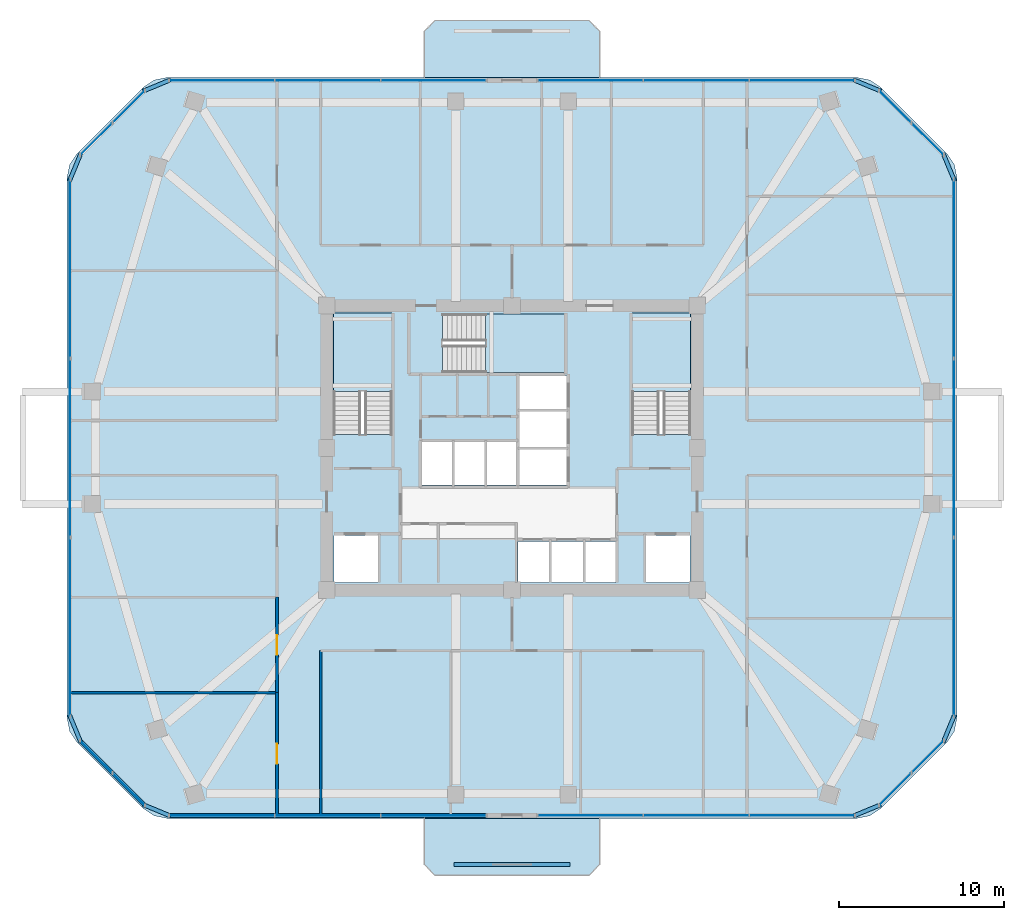
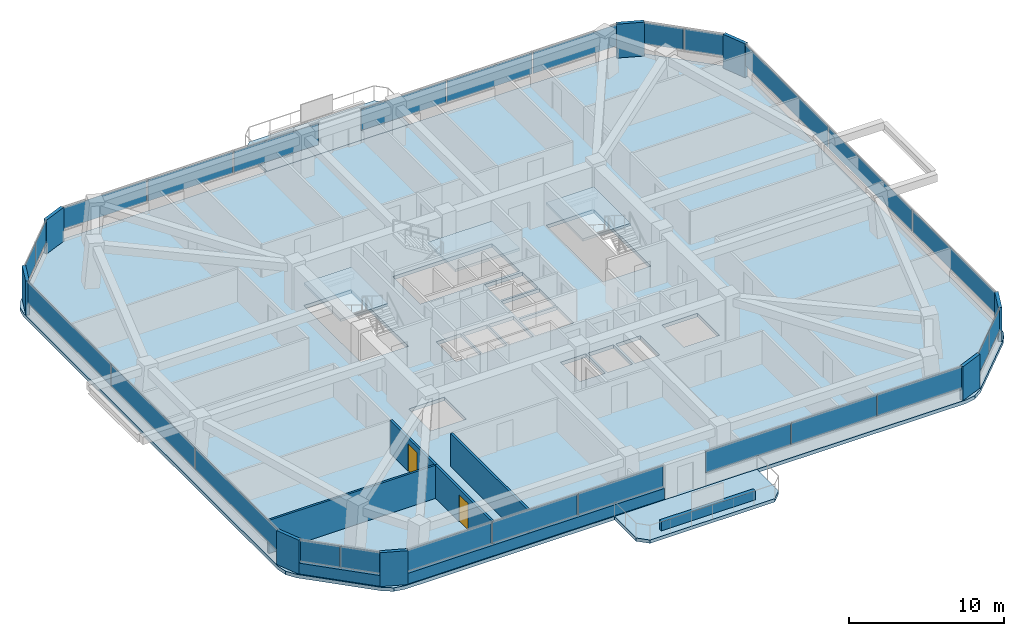
# One storey, part 7 of 13: 34 plates, 7 walls, 6 slabs, 2 doors, 2 openings, 13 elements without a shape of their own.
"""IFC4 building model written with IfcOpenShell, lengths in metres."""

from ifc_helpers import new_model, si_unit, derived_unit, direction, frame, frame_2d, origin, origin_2d, place, context, subcontext, project, spatial, polyline, rectangle, outline, extrude, material, layer, layer_set, type_object, element, fill, aggregate, save


model = new_model("IFC4")

# Units and contexts
model_context = context("Model", 3, precision=1e-05, world=origin(), true_north=direction((0.0, 1.0)))
body_context = subcontext(model_context, "Body", "Model", "MODEL_VIEW")
ifc_project = project(units=[si_unit("LENGTHUNIT", "METRE"), si_unit("AREAUNIT", "SQUARE_METRE"), si_unit("VOLUMEUNIT", "CUBIC_METRE"), si_unit("PLANEANGLEUNIT", "RADIAN"), si_unit("MASSUNIT", "GRAM", prefix="KILO"), derived_unit("THERMALTRANSMITTANCEUNIT", [(si_unit("POWERUNIT", "WATT"), 1), (si_unit("LENGTHUNIT", "METRE"), -2), (si_unit("THERMODYNAMICTEMPERATUREUNIT", "KELVIN"), -1)])], contexts=[model_context])

# Site, building, storey
site_placement = place(None, origin())
site = spatial("IfcSite", under=ifc_project, at=site_placement, CompositionType="ELEMENT")
building_placement = place(site_placement, origin())
building = spatial("IfcBuilding", under=site, at=building_placement, Name="Koralith Skygarden Medical Center", CompositionType="ELEMENT")
storey_placement = place(building_placement, frame((0.0, 0.0, 88.3798828125)))
storey = spatial("IfcBuildingStorey", under=building, at=storey_placement, Name="L22", CompositionType="ELEMENT", Elevation=88.3798828125)

# Curtain wall, plates
ifc_material_1 = material(Name="Clear Laminated Glass", Category="glass")
curtain_wall_type = type_object("IfcCurtainWallType", Name="CW-3 Zone 2 Faceted Solar Curtain Wall", PredefinedType="NOTDEFINED", material=ifc_material_1)
curtain_wall_1_placement = place(storey_placement, origin())
curtain_wall_1 = element("IfcCurtainWall", 1, at=curtain_wall_1_placement, inside=storey, type_object=curtain_wall_type, Name="Curtain Wall CW-L22-S-L", PredefinedType="NOTDEFINED")
ifc_layer_1 = layer(ifc_material_1, 0.033935546875)
ifc_layer_set_1 = layer_set([ifc_layer_1], Name="Clear Laminated Glass")
plate_type_1 = type_object("IfcPlateType", Name="CW-3 Hurricane Laminated IGU Panel 34", PredefinedType="CURTAIN_PANEL", material=ifc_layer_set_1)
plate_1_placement = place(storey_placement, frame((19.4560546875, 3.679931640625, 0.919921875), z_axis=(0.0, 0.0, 1.0), x_axis=(1.0, 0.0, 0.0)))
plate_1 = element("IfcPlate", 2, at=plate_1_placement, type_object=plate_type_1, Name="CW-L22-S-L Glazed Panel 1", PredefinedType="CURTAIN_PANEL", context=body_context, shape_type="SweptSolid", body=[
    extrude(rectangle(XDim=6.31103515625, YDim=0.033935546875, at=origin_2d()), origin(), (0.0, 0.0, 1.0), 1.679931640625),
])
plate_2_placement = place(storey_placement, frame((25.85693359375, 3.679931640625, 0.919921875), z_axis=(0.0, 0.0, 1.0), x_axis=(1.0, 0.0, 0.0)))
plate_2 = element("IfcPlate", 3, at=plate_2_placement, type_object=plate_type_1, Name="CW-L22-S-L Glazed Panel 2", PredefinedType="CURTAIN_PANEL", context=body_context, shape_type="SweptSolid", body=[
    extrude(rectangle(XDim=6.31103515625, YDim=0.033935546875, at=origin_2d()), origin(), (0.0, 0.0, 1.0), 1.679931640625),
])
plate_3_placement = place(storey_placement, frame((32.258056640625, 3.679931640625, 0.919921875), z_axis=(0.0, 0.0, 1.0), x_axis=(1.0, 0.0, 0.0)))
plate_3 = element("IfcPlate", 4, at=plate_3_placement, type_object=plate_type_1, Name="CW-L22-S-L Glazed Panel 3", PredefinedType="CURTAIN_PANEL", context=body_context, shape_type="SweptSolid", body=[
    extrude(rectangle(XDim=6.31103515625, YDim=0.033935546875, at=origin_2d()), origin(), (0.0, 0.0, 1.0), 1.679931640625),
])
aggregate(curtain_wall_1, [plate_1, plate_2, plate_3])

curtain_wall_2_placement = place(storey_placement, origin())
curtain_wall_2 = element("IfcCurtainWall", 5, at=curtain_wall_2_placement, inside=storey, type_object=curtain_wall_type, Name="Curtain Wall CW-L22-S-R", PredefinedType="NOTDEFINED")
plate_4_placement = place(storey_placement, frame((41.739990234375, 3.679931640625, 0.919921875), z_axis=(0.0, 0.0, 1.0), x_axis=(1.0, 0.0, 0.0)))
plate_4 = element("IfcPlate", 6, at=plate_4_placement, type_object=plate_type_1, Name="CW-L22-S-R Glazed Panel 1", PredefinedType="CURTAIN_PANEL", context=body_context, shape_type="SweptSolid", body=[
    extrude(rectangle(XDim=6.31201171875, YDim=0.033935546875, at=origin_2d()), origin(), (0.0, 0.0, 1.0), 1.679931640625),
])
plate_5_placement = place(storey_placement, frame((48.14208984375, 3.679931640625, 0.919921875), z_axis=(0.0, 0.0, 1.0), x_axis=(1.0, 0.0, 0.0)))
plate_5 = element("IfcPlate", 7, at=plate_5_placement, type_object=plate_type_1, Name="CW-L22-S-R Glazed Panel 2", PredefinedType="CURTAIN_PANEL", context=body_context, shape_type="SweptSolid", body=[
    extrude(rectangle(XDim=6.31201171875, YDim=0.033935546875, at=origin_2d()), origin(), (0.0, 0.0, 1.0), 1.679931640625),
])
plate_6_placement = place(storey_placement, frame((54.5439453125, 3.679931640625, 0.919921875), z_axis=(0.0, 0.0, 1.0), x_axis=(1.0, 0.0, 0.0)))
plate_6 = element("IfcPlate", 8, at=plate_6_placement, type_object=plate_type_1, Name="CW-L22-S-R Glazed Panel 3", PredefinedType="CURTAIN_PANEL", context=body_context, shape_type="SweptSolid", body=[
    extrude(rectangle(XDim=6.31201171875, YDim=0.033935546875, at=origin_2d()), origin(), (0.0, 0.0, 1.0), 1.679931640625),
])
aggregate(curtain_wall_2, [plate_4, plate_5, plate_6])

curtain_wall_3_placement = place(storey_placement, origin())
curtain_wall_3 = element("IfcCurtainWall", 9, at=curtain_wall_3_placement, inside=storey, type_object=curtain_wall_type, Name="Curtain Wall CW-L22-SE", PredefinedType="NOTDEFINED")
plate_7_placement = place(storey_placement, frame((60.177001953125, 5.261962890625, 0.919921875), z_axis=(0.0, 0.0, 1.0), x_axis=(0.707106781187, 0.707106781187, 0.0)))
plate_7 = element("IfcPlate", 10, at=plate_7_placement, type_object=plate_type_1, Name="CW-L22-SE Glazed Panel 1", PredefinedType="CURTAIN_PANEL", context=body_context, shape_type="SweptSolid", body=[
    extrude(rectangle(XDim=2.68408203125, YDim=0.033935546875, at=origin_2d()), origin(), (0.0, 0.0, 1.0), 1.679931640625),
])
plate_8_placement = place(storey_placement, frame((62.137939453125, 7.222900390625, 0.919921875), z_axis=(0.0, 0.0, 1.0), x_axis=(0.707106781187, 0.707106781187, 0.0)))
plate_8 = element("IfcPlate", 11, at=plate_8_placement, type_object=plate_type_1, Name="CW-L22-SE Glazed Panel 2", PredefinedType="CURTAIN_PANEL", context=body_context, shape_type="SweptSolid", body=[
    extrude(rectangle(XDim=2.68408203125, YDim=0.033935546875, at=origin_2d()), origin(), (0.0, 0.0, 1.0), 1.679931640625),
])
aggregate(curtain_wall_3, [plate_7, plate_8])

curtain_wall_4_placement = place(storey_placement, origin())
curtain_wall_4 = element("IfcCurtainWall", 12, at=curtain_wall_4_placement, inside=storey, type_object=curtain_wall_type, Name="Curtain Wall CW-L22-E", PredefinedType="NOTDEFINED")
plate_9_placement = place(storey_placement, frame((63.719970703125, 15.070068359375, 0.919921875), z_axis=(0.0, 0.0, 1.0), x_axis=(0.0, 1.0, 0.0)))
plate_9 = element("IfcPlate", 13, at=plate_9_placement, type_object=plate_type_1, Name="CW-L22-E Glazed Panel 1", PredefinedType="CURTAIN_PANEL", context=body_context, shape_type="SweptSolid", body=[
    extrude(rectangle(XDim=10.739990234375, YDim=0.033935546875, at=origin_2d()), origin(), (0.0, 0.0, 1.0), 1.679931640625),
])
plate_10_placement = place(storey_placement, frame((63.719970703125, 25.89990234375, 0.919921875), z_axis=(0.0, 0.0, 1.0), x_axis=(0.0, 1.0, 0.0)))
plate_10 = element("IfcPlate", 14, at=plate_10_placement, type_object=plate_type_1, Name="CW-L22-E Glazed Panel 2", PredefinedType="CURTAIN_PANEL", context=body_context, shape_type="SweptSolid", body=[
    extrude(rectangle(XDim=10.739990234375, YDim=0.033935546875, at=origin_2d()), origin(), (0.0, 0.0, 1.0), 1.679931640625),
])
plate_11_placement = place(storey_placement, frame((63.719970703125, 36.72998046875, 0.919921875), z_axis=(0.0, 0.0, 1.0), x_axis=(0.0, 1.0, 0.0)))
plate_11 = element("IfcPlate", 15, at=plate_11_placement, type_object=plate_type_1, Name="CW-L22-E Glazed Panel 3", PredefinedType="CURTAIN_PANEL", context=body_context, shape_type="SweptSolid", body=[
    extrude(rectangle(XDim=10.739990234375, YDim=0.033935546875, at=origin_2d()), origin(), (0.0, 0.0, 1.0), 1.679931640625),
])
aggregate(curtain_wall_4, [plate_9, plate_10, plate_11])

curtain_wall_5_placement = place(storey_placement, origin())
curtain_wall_5 = element("IfcCurtainWall", 16, at=curtain_wall_5_placement, inside=storey, type_object=curtain_wall_type, Name="Curtain Wall CW-L22-NE", PredefinedType="NOTDEFINED")
plate_12_placement = place(storey_placement, frame((62.137939453125, 44.576904296875, 0.919921875), z_axis=(0.0, 0.0, 1.0), x_axis=(-0.707106781187, 0.707106781187, 0.0)))
plate_12 = element("IfcPlate", 17, at=plate_12_placement, type_object=plate_type_1, Name="CW-L22-NE Glazed Panel 1", PredefinedType="CURTAIN_PANEL", context=body_context, shape_type="SweptSolid", body=[
    extrude(rectangle(XDim=2.68408203125, YDim=0.033935546875, at=origin_2d()), origin(), (0.0, 0.0, 1.0), 1.679931640625),
])
plate_13_placement = place(storey_placement, frame((60.177001953125, 46.5380859375, 0.919921875), z_axis=(0.0, 0.0, 1.0), x_axis=(-0.707106781187, 0.707106781187, 0.0)))
plate_13 = element("IfcPlate", 18, at=plate_13_placement, type_object=plate_type_1, Name="CW-L22-NE Glazed Panel 2", PredefinedType="CURTAIN_PANEL", context=body_context, shape_type="SweptSolid", body=[
    extrude(rectangle(XDim=2.68408203125, YDim=0.033935546875, at=origin_2d()), origin(), (0.0, 0.0, 1.0), 1.679931640625),
])
aggregate(curtain_wall_5, [plate_12, plate_13])

curtain_wall_6_placement = place(storey_placement, origin())
curtain_wall_6 = element("IfcCurtainWall", 19, at=curtain_wall_6_placement, inside=storey, type_object=curtain_wall_type, Name="Curtain Wall CW-L22-N-L", PredefinedType="NOTDEFINED")
plate_14_placement = place(storey_placement, frame((54.5439453125, 48.1201171875, 0.919921875), z_axis=(0.0, 0.0, 1.0), x_axis=(-1.0, 0.0, 0.0)))
plate_14 = element("IfcPlate", 20, at=plate_14_placement, type_object=plate_type_1, Name="CW-L22-N-L Glazed Panel 1", PredefinedType="CURTAIN_PANEL", context=body_context, shape_type="SweptSolid", body=[
    extrude(rectangle(XDim=6.31103515625, YDim=0.033935546875, at=origin_2d()), origin(), (0.0, 0.0, 1.0), 1.679931640625),
])
plate_15_placement = place(storey_placement, frame((48.14306640625, 48.1201171875, 0.919921875), z_axis=(0.0, 0.0, 1.0), x_axis=(-1.0, 0.0, 0.0)))
plate_15 = element("IfcPlate", 21, at=plate_15_placement, type_object=plate_type_1, Name="CW-L22-N-L Glazed Panel 2", PredefinedType="CURTAIN_PANEL", context=body_context, shape_type="SweptSolid", body=[
    extrude(rectangle(XDim=6.31103515625, YDim=0.033935546875, at=origin_2d()), origin(), (0.0, 0.0, 1.0), 1.679931640625),
])
plate_16_placement = place(storey_placement, frame((41.741943359375, 48.1201171875, 0.919921875), z_axis=(0.0, 0.0, 1.0), x_axis=(-1.0, 0.0, 0.0)))
plate_16 = element("IfcPlate", 22, at=plate_16_placement, type_object=plate_type_1, Name="CW-L22-N-L Glazed Panel 3", PredefinedType="CURTAIN_PANEL", context=body_context, shape_type="SweptSolid", body=[
    extrude(rectangle(XDim=6.31103515625, YDim=0.033935546875, at=origin_2d()), origin(), (0.0, 0.0, 1.0), 1.679931640625),
])
aggregate(curtain_wall_6, [plate_14, plate_15, plate_16])

curtain_wall_7_placement = place(storey_placement, origin())
curtain_wall_7 = element("IfcCurtainWall", 23, at=curtain_wall_7_placement, inside=storey, type_object=curtain_wall_type, Name="Curtain Wall CW-L22-N-R", PredefinedType="NOTDEFINED")
plate_17_placement = place(storey_placement, frame((32.260009765625, 48.1201171875, 0.919921875), z_axis=(0.0, 0.0, 1.0), x_axis=(-1.0, 0.0, 0.0)))
plate_17 = element("IfcPlate", 24, at=plate_17_placement, type_object=plate_type_1, Name="CW-L22-N-R Glazed Panel 1", PredefinedType="CURTAIN_PANEL", context=body_context, shape_type="SweptSolid", body=[
    extrude(rectangle(XDim=6.31201171875, YDim=0.033935546875, at=origin_2d()), origin(), (0.0, 0.0, 1.0), 1.679931640625),
])
plate_18_placement = place(storey_placement, frame((25.85791015625, 48.1201171875, 0.919921875), z_axis=(0.0, 0.0, 1.0), x_axis=(-1.0, 0.0, 0.0)))
plate_18 = element("IfcPlate", 25, at=plate_18_placement, type_object=plate_type_1, Name="CW-L22-N-R Glazed Panel 2", PredefinedType="CURTAIN_PANEL", context=body_context, shape_type="SweptSolid", body=[
    extrude(rectangle(XDim=6.31201171875, YDim=0.033935546875, at=origin_2d()), origin(), (0.0, 0.0, 1.0), 1.679931640625),
])
plate_19_placement = place(storey_placement, frame((19.4560546875, 48.1201171875, 0.919921875), z_axis=(0.0, 0.0, 1.0), x_axis=(-1.0, 0.0, 0.0)))
plate_19 = element("IfcPlate", 26, at=plate_19_placement, type_object=plate_type_1, Name="CW-L22-N-R Glazed Panel 3", PredefinedType="CURTAIN_PANEL", context=body_context, shape_type="SweptSolid", body=[
    extrude(rectangle(XDim=6.31201171875, YDim=0.033935546875, at=origin_2d()), origin(), (0.0, 0.0, 1.0), 1.679931640625),
])
aggregate(curtain_wall_7, [plate_17, plate_18, plate_19])

curtain_wall_8_placement = place(storey_placement, origin())
curtain_wall_8 = element("IfcCurtainWall", 27, at=curtain_wall_8_placement, inside=storey, type_object=curtain_wall_type, Name="Curtain Wall CW-L22-NW", PredefinedType="NOTDEFINED")
plate_20_placement = place(storey_placement, frame((13.822998046875, 46.5380859375, 0.919921875), z_axis=(0.0, 0.0, 1.0), x_axis=(-0.707106781187, -0.707106781187, 0.0)))
plate_20 = element("IfcPlate", 28, at=plate_20_placement, type_object=plate_type_1, Name="CW-L22-NW Glazed Panel 1", PredefinedType="CURTAIN_PANEL", context=body_context, shape_type="SweptSolid", body=[
    extrude(rectangle(XDim=2.68408203125, YDim=0.033935546875, at=origin_2d()), origin(), (0.0, 0.0, 1.0), 1.679931640625),
])
plate_21_placement = place(storey_placement, frame((11.862060546875, 44.576904296875, 0.919921875), z_axis=(0.0, 0.0, 1.0), x_axis=(-0.707106781187, -0.707106781187, 0.0)))
plate_21 = element("IfcPlate", 29, at=plate_21_placement, type_object=plate_type_1, Name="CW-L22-NW Glazed Panel 2", PredefinedType="CURTAIN_PANEL", context=body_context, shape_type="SweptSolid", body=[
    extrude(rectangle(XDim=2.68408203125, YDim=0.033935546875, at=origin_2d()), origin(), (0.0, 0.0, 1.0), 1.679931640625),
])
aggregate(curtain_wall_8, [plate_20, plate_21])

curtain_wall_9_placement = place(storey_placement, origin())
curtain_wall_9 = element("IfcCurtainWall", 30, at=curtain_wall_9_placement, inside=storey, type_object=curtain_wall_type, Name="Curtain Wall CW-L22-W", PredefinedType="NOTDEFINED")
plate_22_placement = place(storey_placement, frame((10.280029296875, 36.72998046875, 0.919921875), z_axis=(0.0, 0.0, 1.0), x_axis=(0.0, -1.0, 0.0)))
plate_22 = element("IfcPlate", 31, at=plate_22_placement, type_object=plate_type_1, Name="CW-L22-W Glazed Panel 1", PredefinedType="CURTAIN_PANEL", context=body_context, shape_type="SweptSolid", body=[
    extrude(rectangle(XDim=10.739990234375, YDim=0.033935546875, at=origin_2d()), origin(), (0.0, 0.0, 1.0), 1.679931640625),
])
plate_23_placement = place(storey_placement, frame((10.280029296875, 25.89990234375, 0.919921875), z_axis=(0.0, 0.0, 1.0), x_axis=(0.0, -1.0, 0.0)))
plate_23 = element("IfcPlate", 32, at=plate_23_placement, type_object=plate_type_1, Name="CW-L22-W Glazed Panel 2", PredefinedType="CURTAIN_PANEL", context=body_context, shape_type="SweptSolid", body=[
    extrude(rectangle(XDim=10.739990234375, YDim=0.033935546875, at=origin_2d()), origin(), (0.0, 0.0, 1.0), 1.679931640625),
])
plate_24_placement = place(storey_placement, frame((10.280029296875, 15.070068359375, 0.919921875), z_axis=(0.0, 0.0, 1.0), x_axis=(0.0, -1.0, 0.0)))
plate_24 = element("IfcPlate", 33, at=plate_24_placement, type_object=plate_type_1, Name="CW-L22-W Glazed Panel 3", PredefinedType="CURTAIN_PANEL", context=body_context, shape_type="SweptSolid", body=[
    extrude(rectangle(XDim=10.739990234375, YDim=0.033935546875, at=origin_2d()), origin(), (0.0, 0.0, 1.0), 1.679931640625),
])
aggregate(curtain_wall_9, [plate_22, plate_23, plate_24])

curtain_wall_10_placement = place(storey_placement, origin())
curtain_wall_10 = element("IfcCurtainWall", 34, at=curtain_wall_10_placement, inside=storey, type_object=curtain_wall_type, Name="Curtain Wall CW-L22-SW", PredefinedType="NOTDEFINED")
plate_25_placement = place(storey_placement, frame((11.862060546875, 7.222900390625, 0.919921875), z_axis=(0.0, 0.0, 1.0), x_axis=(0.707106781187, -0.707106781187, 0.0)))
plate_25 = element("IfcPlate", 35, at=plate_25_placement, type_object=plate_type_1, Name="CW-L22-SW Glazed Panel 1", PredefinedType="CURTAIN_PANEL", context=body_context, shape_type="SweptSolid", body=[
    extrude(rectangle(XDim=2.68408203125, YDim=0.033935546875, at=origin_2d()), origin(), (0.0, 0.0, 1.0), 1.679931640625),
])
plate_26_placement = place(storey_placement, frame((13.822998046875, 5.261962890625, 0.919921875), z_axis=(0.0, 0.0, 1.0), x_axis=(0.707106781187, -0.707106781187, 0.0)))
plate_26 = element("IfcPlate", 36, at=plate_26_placement, type_object=plate_type_1, Name="CW-L22-SW Glazed Panel 2", PredefinedType="CURTAIN_PANEL", context=body_context, shape_type="SweptSolid", body=[
    extrude(rectangle(XDim=2.68408203125, YDim=0.033935546875, at=origin_2d()), origin(), (0.0, 0.0, 1.0), 1.679931640625),
])
aggregate(curtain_wall_10, [plate_25, plate_26])

# Slabs
ifc_material_2 = material(Name="Concrete C45/55", Category="concrete")
ifc_layer_2 = layer(ifc_material_2, 0.260009765625)
ifc_layer_set_2 = layer_set([ifc_layer_2], Name="Concrete C45/55")
slab_type_1 = type_object("IfcSlabType", Name="Cantilevered Planted Balcony Slab 260", PredefinedType="FLOOR", material=ifc_layer_set_2)
slab_1_placement = place(storey_placement, frame((0.0, 0.0, -0.259765625)))
element("IfcSlab", 37, at=slab_1_placement, inside=storey, type_object=slab_type_1, Name="L22 N Planted Sky-Garden Balcony Slab", PredefinedType="FLOOR", context=body_context, shape_type="SweptSolid", body=[
    extrude(outline(polyline([(31.699951171875, 48.300048828125), (42.300048828125, 48.300048828125), (42.300048828125, 51.10009765625), (41.64990234375, 51.75), (32.35009765625, 51.75), (31.699951171875, 51.10009765625), (31.699951171875, 48.300048828125)])), origin(), (0.0, 0.0, 1.0), 0.259765625),
])
slab_2_placement = place(storey_placement, frame((0.0, 0.0, -0.259765625)))
element("IfcSlab", 38, at=slab_2_placement, inside=storey, type_object=slab_type_1, Name="L22 S Planted Sky-Garden Balcony Slab", PredefinedType="FLOOR", context=body_context, shape_type="SweptSolid", body=[
    extrude(outline(polyline([(32.35009765625, 0.050048828125), (41.64990234375, 0.050048828125), (42.300048828125, 0.699951171875), (42.300048828125, 3.5), (31.699951171875, 3.5), (31.699951171875, 0.699951171875), (32.35009765625, 0.050048828125)])), origin(), (0.0, 0.0, 1.0), 0.259765625),
])

# Stair, slab
stair_type = type_object("IfcStairType", Name="Core Exit Dogleg Concrete Stair", PredefinedType="HALF_TURN_STAIR", material=ifc_material_2)
stair_1_placement = place(storey_placement, origin())
stair_1 = element("IfcStair", 39, at=stair_1_placement, inside=storey, type_object=stair_type, Name="L22 Smokeproof Exit Stair ST1", PredefinedType="HALF_TURN_STAIR")
ifc_layer_3 = layer(ifc_material_2, 0.199951171875)
ifc_layer_set_3 = layer_set([ifc_layer_3], Name="Concrete C45/55")
slab_type_2 = type_object("IfcSlabType", Name="Core Exit Concrete Stair Landing 200", PredefinedType="LANDING", material=ifc_layer_set_3)
slab_3_placement = place(storey_placement, frame((0.0, 0.0, 1.60009765625)))
slab_3 = element("IfcSlab", 40, at=slab_3_placement, type_object=slab_type_2, Name="ST1 landing 1", PredefinedType="LANDING", context=body_context, shape_type="SweptSolid", body=[
    extrude(outline(polyline([(29.75, 29.31005859375), (29.75, 34.050048828125), (26.199951171875, 34.050048828125), (26.199951171875, 29.31005859375), (29.75, 29.31005859375)])), origin(), (0.0, 0.0, 1.0), 0.199951171875),
])
aggregate(stair_1, [slab_3])

stair_2_placement = place(storey_placement, origin())
stair_2 = element("IfcStair", 41, at=stair_2_placement, inside=storey, type_object=stair_type, Name="L22 Smokeproof Exit Stair ST2", PredefinedType="HALF_TURN_STAIR")
slab_4_placement = place(storey_placement, frame((0.0, 0.0, 1.60009765625)))
slab_4 = element("IfcSlab", 42, at=slab_4_placement, type_object=slab_type_2, Name="ST2 landing 1", PredefinedType="LANDING", context=body_context, shape_type="SweptSolid", body=[
    extrude(outline(polyline([(47.800048828125, 29.31005859375), (47.800048828125, 34.050048828125), (44.25, 34.050048828125), (44.25, 29.31005859375), (47.800048828125, 29.31005859375)])), origin(), (0.0, 0.0, 1.0), 0.199951171875),
])
aggregate(stair_2, [slab_4])

stair_3_placement = place(storey_placement, origin())
stair_3 = element("IfcStair", 43, at=stair_3_placement, inside=storey, type_object=stair_type, Name="L22 Smokeproof Exit Stair ST3", PredefinedType="HALF_TURN_STAIR")
slab_5_placement = place(storey_placement, frame((0.0, 0.0, 1.60009765625)))
slab_5 = element("IfcSlab", 44, at=slab_5_placement, type_object=slab_type_2, Name="ST3 landing 1", PredefinedType="LANDING", context=body_context, shape_type="SweptSolid", body=[
    extrude(outline(polyline([(35.409912109375, 30.449951171875), (40.199951171875, 30.449951171875), (40.199951171875, 34.0), (35.409912109375, 34.0), (35.409912109375, 30.449951171875)])), origin(), (0.0, 0.0, 1.0), 0.199951171875),
])
aggregate(stair_3, [slab_5])

# Slab
ifc_layer_4 = layer(ifc_material_2, 0.280029296875)
ifc_layer_set_4 = layer_set([ifc_layer_4], Name="Concrete C45/55")
slab_type_3 = type_object("IfcSlabType", Name="Post-Tensioned Ward Floor Plate 280", PredefinedType="FLOOR", material=ifc_layer_set_4)
slab_6_placement = place(storey_placement, frame((0.0, 0.0, -0.27978515625)))
element("IfcSlab", 45, at=slab_6_placement, inside=storey, type_object=slab_type_3, Name="Level L22 Structural Floor Slab", PredefinedType="FLOOR", context=body_context, shape_type="SweptSolid", body=[
    extrude(outline(polyline([(14.714111328125, 4.0859375), (15.363037109375, 3.652099609375), (16.1279296875, 3.5), (57.8720703125, 3.5), (58.636962890625, 3.652099609375), (59.285888671875, 4.0859375), (63.31396484375, 8.114013671875), (63.748046875, 8.762939453125), (63.89990234375, 9.528076171875), (63.89990234375, 42.27197265625), (63.748046875, 43.037109375), (63.31396484375, 43.68603515625), (59.285888671875, 47.714111328125), (58.636962890625, 48.14794921875), (57.8720703125, 48.300048828125), (16.1279296875, 48.300048828125), (15.363037109375, 48.14794921875), (14.714111328125, 47.714111328125), (10.68603515625, 43.68603515625), (10.251953125, 43.037109375), (10.10009765625, 42.27197265625), (10.10009765625, 9.528076171875), (10.251953125, 8.762939453125), (10.68603515625, 8.114013671875), (14.714111328125, 4.0859375)]), holes=[polyline([(26.199951171875, 26.705078125), (29.75, 26.705078125), (29.75, 34.050048828125), (26.199951171875, 34.050048828125), (26.199951171875, 26.705078125)]), polyline([(44.25, 26.705078125), (47.800048828125, 26.705078125), (47.800048828125, 34.050048828125), (44.25, 34.050048828125), (44.25, 26.705078125)]), polyline([(32.804931640625, 30.449951171875), (40.199951171875, 30.449951171875), (40.199951171875, 34.0), (32.804931640625, 34.0), (32.804931640625, 30.449951171875)]), polyline([(26.25, 17.75), (28.89990234375, 17.75), (28.89990234375, 20.60009765625), (26.25, 20.60009765625), (26.25, 17.75)]), polyline([(45.10009765625, 17.75), (47.75, 17.75), (47.75, 20.60009765625), (45.10009765625, 20.60009765625), (45.10009765625, 17.75)]), polyline([(37.35009765625, 17.75), (39.25, 17.75), (39.25, 20.25), (37.35009765625, 20.25), (37.35009765625, 17.75)]), polyline([(39.39990234375, 17.75), (41.300048828125, 17.75), (41.300048828125, 20.25), (39.39990234375, 20.25), (39.39990234375, 17.75)]), polyline([(41.449951171875, 17.75), (43.300048828125, 17.75), (43.300048828125, 20.25), (41.449951171875, 20.25), (41.449951171875, 17.75)]), polyline([(31.550048828125, 23.64990234375), (33.39990234375, 23.64990234375), (33.39990234375, 26.25), (31.550048828125, 26.25), (31.550048828125, 23.64990234375)]), polyline([(33.5, 23.64990234375), (35.35009765625, 23.64990234375), (35.35009765625, 26.25), (33.5, 26.25), (33.5, 23.64990234375)]), polyline([(35.449951171875, 23.64990234375), (37.300048828125, 23.64990234375), (37.300048828125, 26.25), (35.449951171875, 26.25), (35.449951171875, 23.64990234375)]), polyline([(37.449951171875, 23.64990234375), (40.300048828125, 23.64990234375), (40.300048828125, 25.800048828125), (37.449951171875, 25.800048828125), (37.449951171875, 23.64990234375)]), polyline([(37.449951171875, 25.949951171875), (40.300048828125, 25.949951171875), (40.300048828125, 28.10009765625), (37.449951171875, 28.10009765625), (37.449951171875, 25.949951171875)]), polyline([(37.449951171875, 28.25), (40.300048828125, 28.25), (40.300048828125, 30.25), (37.449951171875, 30.25), (37.449951171875, 28.25)])]), origin(), (0.0, 0.0, 1.0), 0.27978515625),
])

# Plates
ifc_material_3 = material(Name="Warm Oolitic Limestone Cladding", Category="masonry")
ifc_layer_5 = layer(ifc_material_3, 0.239990234375)
ifc_layer_set_5 = layer_set([ifc_layer_5], Name="Warm Oolitic Limestone Cladding")
plate_type_2 = type_object("IfcPlateType", Name="Rounded-Corner Oolitic Limestone Cladding Panel 240", PredefinedType="USERDEFINED", material=ifc_layer_set_5)
for number, where, z_axis, x_axis, name in (
    (46, (58.470947265625, 3.98095703125, 0.000244140625), (0.0, 0.0, 1.0), (0.92388487569, 0.382670532536, 0.0), "L22 Rounded-Corner Limestone Pier 1"),
    (47, (63.4189453125, 8.929931640625, 0.000244140625), (0.0, 0.0, 1.0), (0.382670532536, 0.92388487569, 0.0), "L22 Rounded-Corner Limestone Pier 2"),
    (48, (63.4189453125, 42.8701171875, 0.000244140625), (0.0, 0.0, 1.0), (-0.382670532536, 0.92388487569, 0.0), "L22 Rounded-Corner Limestone Pier 3"),
    (49, (58.470947265625, 47.819091796875, 0.000244140625), (0.0, 0.0, 1.0), (-0.92388487569, 0.382670532536, 0.0), "L22 Rounded-Corner Limestone Pier 4"),
    (50, (15.529052734375, 47.819091796875, 0.000244140625), (0.0, 0.0, 1.0), (-0.92388487569, -0.382670532536, 0.0), "L22 Rounded-Corner Limestone Pier 5"),
    (51, (10.5810546875, 42.8701171875, 0.000244140625), (0.0, 0.0, 1.0), (-0.382670532536, -0.92388487569, 0.0), "L22 Rounded-Corner Limestone Pier 6"),
    (52, (10.5810546875, 8.929931640625, 0.000244140625), (0.0, 0.0, 1.0), (0.382670532536, -0.92388487569, 0.0), "L22 Rounded-Corner Limestone Pier 7"),
    (53, (15.529052734375, 3.98095703125, 0.000244140625), (0.0, 0.0, 1.0), (0.92388487569, -0.382670532536, 0.0), "L22 Rounded-Corner Limestone Pier 8"),
):
    element("IfcPlate", number, at=place(storey_placement, frame(where, z_axis=z_axis, x_axis=x_axis)), inside=storey, type_object=plate_type_2, Name=name, ObjectType="LIMESTONE CLADDING", PredefinedType="USERDEFINED", context=body_context, shape_type="SweptSolid", body=[
        extrude(rectangle(XDim=1.81103515625, YDim=0.239990234375, at=origin_2d()), origin(), (0.0, 0.0, 1.0), 2.669921875),
    ])

# Walls
ifc_material_4 = material(Name="Gypsum Board Partition")
ifc_layer_6 = layer(ifc_material_4, 0.14990234375)
ifc_layer_set_6 = layer_set([ifc_layer_6], Name="Gypsum Board Partition")
wall_type_1 = type_object("IfcWallType", Name="Clinical Acoustic Partition 150", PredefinedType="PARTITIONING", material=ifc_layer_set_6)
wall_1_placement = place(storey_placement, frame((22.7900390625, 11.093994140625, 0.0), z_axis=(0.0, 0.0, 1.0), x_axis=(-1.0, 0.0, 0.0)))
element("IfcWall", 54, at=wall_1_placement, inside=storey, type_object=wall_type_1, Name="L22 Clinical Acoustic Partition 150 W-PART-L22-WS-01", PredefinedType="PARTITIONING", context=body_context, shape_type="SweptSolid", body=[
    extrude(rectangle(XDim=12.489990234375, YDim=0.14990234375, at=frame_2d((6.2451171875, 0.0))), origin(), (0.0, 0.0, 1.0), 2.610107421875),
])
ifc_layer_7 = layer(ifc_material_4, 0.1650390625)
ifc_layer_set_7 = layer_set([ifc_layer_7], Name="Gypsum Board Partition")
wall_type_2 = type_object("IfcWallType", Name="Clinical Corridor Partition 165", PredefinedType="PARTITIONING", material=ifc_layer_set_7)
wall_2_placement = place(storey_placement, frame((25.429931640625, 3.699951171875, 0.0), z_axis=(0.0, 0.0, 1.0), x_axis=(0.0, 1.0, 0.0)))
element("IfcWall", 55, at=wall_2_placement, inside=storey, type_object=wall_type_2, Name="L22 Clinical Corridor Partition 165 W-HCOR-L22-SW", PredefinedType="PARTITIONING", context=body_context, shape_type="SweptSolid", body=[
    extrude(rectangle(XDim=9.93994140625, YDim=0.1650390625, at=frame_2d((4.969970703125, 0.0))), origin(), (0.0, 0.0, 1.0), 2.610107421875),
])

# Wall, opening, door
wall_3_placement = place(storey_placement, frame((22.7900390625, 3.699951171875, 0.0), z_axis=(0.0, 0.0, 1.0), x_axis=(0.0, 1.0, 0.0)))
wall_3 = element("IfcWall", 56, at=wall_3_placement, inside=storey, type_object=wall_type_2, Name="L22 Clinical Corridor Partition 165 W-CORR-L22-WS-01", PredefinedType="PARTITIONING", context=body_context, shape_type="SweptSolid", body=[
    extrude(rectangle(XDim=7.39404296875, YDim=0.1650390625, at=frame_2d((3.697021484375, 0.0))), origin(), (0.0, 0.0, 1.0), 2.610107421875),
])
opening_1_placement = place(wall_3_placement, frame((3.096923828125, 0.0, 0.0)))
opening_1 = element("IfcOpeningElement", 57, at=opening_1_placement, cuts=wall_3, Name="Opening D-CLN", PredefinedType="OPENING", context=body_context, shape_type="SweptSolid", body=[
    extrude(rectangle(XDim=1.199951171875, YDim=2.14990234375, at=frame_2d((0.60009765625, 1.074951171875))), frame((0.0, 0.092529296875, 0.0), z_axis=(0.0, -1.0, 0.0), x_axis=(1.0, 0.0, 0.0)), (0.0, 0.0, 1.0), 0.18505859375),
])
ifc_material_5 = material(Name="Aluminium 6063-T6", Category="aluminium")
door_type = type_object("IfcDoorType", Name="Clinical Corridor Door D-CLN 1200", OperationType="NOTDEFINED", PredefinedType="DOOR", material=ifc_material_5)
door_1_placement = place(opening_1_placement, frame((1.199951171875, 0.0, 0.0), z_axis=(0.0, 0.0, 1.0), x_axis=(-1.0, 0.0, 0.0)))
door_1 = element("IfcDoor", 58, at=door_1_placement, inside=storey, type_object=door_type, Name="L22 Clinical Case Conference Room 08 Door", OperationType="SINGLE_SWING_LEFT", OverallHeight=2.14990234375, OverallWidth=1.199951171875, PredefinedType="DOOR", context=body_context, shape_type="SweptSolid", body=[
    extrude(rectangle(XDim=1.199951171875, YDim=2.14990234375, at=frame_2d((0.60009765625, 1.074951171875))), frame((0.0, 0.02490234375, 0.0), z_axis=(0.0, -1.0, 0.0), x_axis=(1.0, 0.0, 0.0)), (0.0, 0.0, 1.0), 0.050048828125),
])
fill(opening_1, door_1)

wall_4_placement = place(storey_placement, frame((22.7900390625, 11.093994140625, 0.0), z_axis=(0.0, 0.0, 1.0), x_axis=(0.0, 1.0, 0.0)))
wall_4 = element("IfcWall", 59, at=wall_4_placement, inside=storey, type_object=wall_type_2, Name="L22 Clinical Corridor Partition 165 W-CORR-L22-WS-02", PredefinedType="PARTITIONING", context=body_context, shape_type="SweptSolid", body=[
    extrude(rectangle(XDim=5.783935546875, YDim=0.1650390625, at=frame_2d((2.89208984375, 0.0))), origin(), (0.0, 0.0, 1.0), 2.610107421875),
])
opening_2_placement = place(wall_4_placement, frame((2.2919921875, 0.0, 0.0)))
opening_2 = element("IfcOpeningElement", 60, at=opening_2_placement, cuts=wall_4, Name="Opening D-CLN", PredefinedType="OPENING", context=body_context, shape_type="SweptSolid", body=[
    extrude(rectangle(XDim=1.199951171875, YDim=2.14990234375, at=frame_2d((0.60009765625, 1.074951171875))), frame((0.0, 0.092529296875, 0.0), z_axis=(0.0, -1.0, 0.0), x_axis=(1.0, 0.0, 0.0)), (0.0, 0.0, 1.0), 0.18505859375),
])
door_2_placement = place(opening_2_placement, frame((1.199951171875, 0.0, 0.0), z_axis=(0.0, 0.0, 1.0), x_axis=(-1.0, 0.0, 0.0)))
door_2 = element("IfcDoor", 61, at=door_2_placement, inside=storey, type_object=door_type, Name="L22 Patient Nutrition Pantry 09 Door", OperationType="SINGLE_SWING_RIGHT", OverallHeight=2.14990234375, OverallWidth=1.199951171875, PredefinedType="DOOR", context=body_context, shape_type="SweptSolid", body=[
    extrude(rectangle(XDim=1.199951171875, YDim=2.14990234375, at=frame_2d((0.60009765625, 1.074951171875))), frame((0.0, 0.02490234375, 0.0), z_axis=(0.0, -1.0, 0.0), x_axis=(1.0, 0.0, 0.0)), (0.0, 0.0, 1.0), 0.050048828125),
])
fill(opening_2, door_2)

# Walls
ifc_layer_8 = layer(ifc_material_3, 0.239990234375)
ifc_layer_set_8 = layer_set([ifc_layer_8], Name="Warm Oolitic Limestone Cladding")
wall_type_3 = type_object("IfcWallType", Name="Limestone Spandrel Sill Backup Wall 240", PredefinedType="SOLIDWALL", material=ifc_layer_set_8)
wall_5_placement = place(storey_placement, frame((16.2548828125, 3.679931640625, 0.0), z_axis=(0.0, 0.0, 1.0), x_axis=(1.0, 0.0, 0.0)))
element("IfcWall", 62, at=wall_5_placement, inside=storey, type_object=wall_type_3, Name="L22 Sill Spandrel S-L", PredefinedType="SOLIDWALL", context=body_context, shape_type="SweptSolid", body=[
    extrude(rectangle(XDim=19.2041015625, YDim=0.239990234375, at=frame_2d((9.60205078125, 0.0))), origin(), (0.0, 0.0, 1.0), 0.85009765625),
])
wall_6_placement = place(storey_placement, frame((10.881103515625, 8.2041015625, 0.0), z_axis=(0.0, 0.0, 1.0), x_axis=(0.707084777957, -0.707128783731, 0.0)))
element("IfcWall", 63, at=wall_6_placement, inside=storey, type_object=wall_type_3, Name="L22 Sill Spandrel SW", PredefinedType="SOLIDWALL", context=body_context, shape_type="SweptSolid", body=[
    extrude(rectangle(XDim=5.5478515625, YDim=0.239990234375, at=frame_2d((2.77392578125, 0.0))), origin(), (0.0, 0.0, 1.0), 0.85009765625),
])
ifc_material_6 = material(Name="Precast concrete C40/50", Category="concrete")
ifc_layer_9 = layer(ifc_material_6, 0.25)
ifc_layer_set_9 = layer_set([ifc_layer_9], Name="Precast concrete C40/50")
wall_type_4 = type_object("IfcWallType", Name="Structural Concrete Balcony Planter Kerb 250", PredefinedType="PARAPET", material=ifc_layer_set_9)
wall_7_placement = place(storey_placement, frame((33.5, 0.699951171875, 0.0), z_axis=(0.0, 0.0, 1.0), x_axis=(1.0, 0.0, 0.0)))
element("IfcWall", 64, at=wall_7_placement, inside=storey, type_object=wall_type_4, Name="L22 S Structural Tree PLANTER Box", PredefinedType="PARAPET", context=body_context, shape_type="SweptSolid", body=[
    extrude(rectangle(XDim=7.0, YDim=0.25, at=frame_2d((3.5, 0.0))), origin(), (0.0, 0.0, 1.0), 0.72021484375),
])

save(model, "model.ifc")
